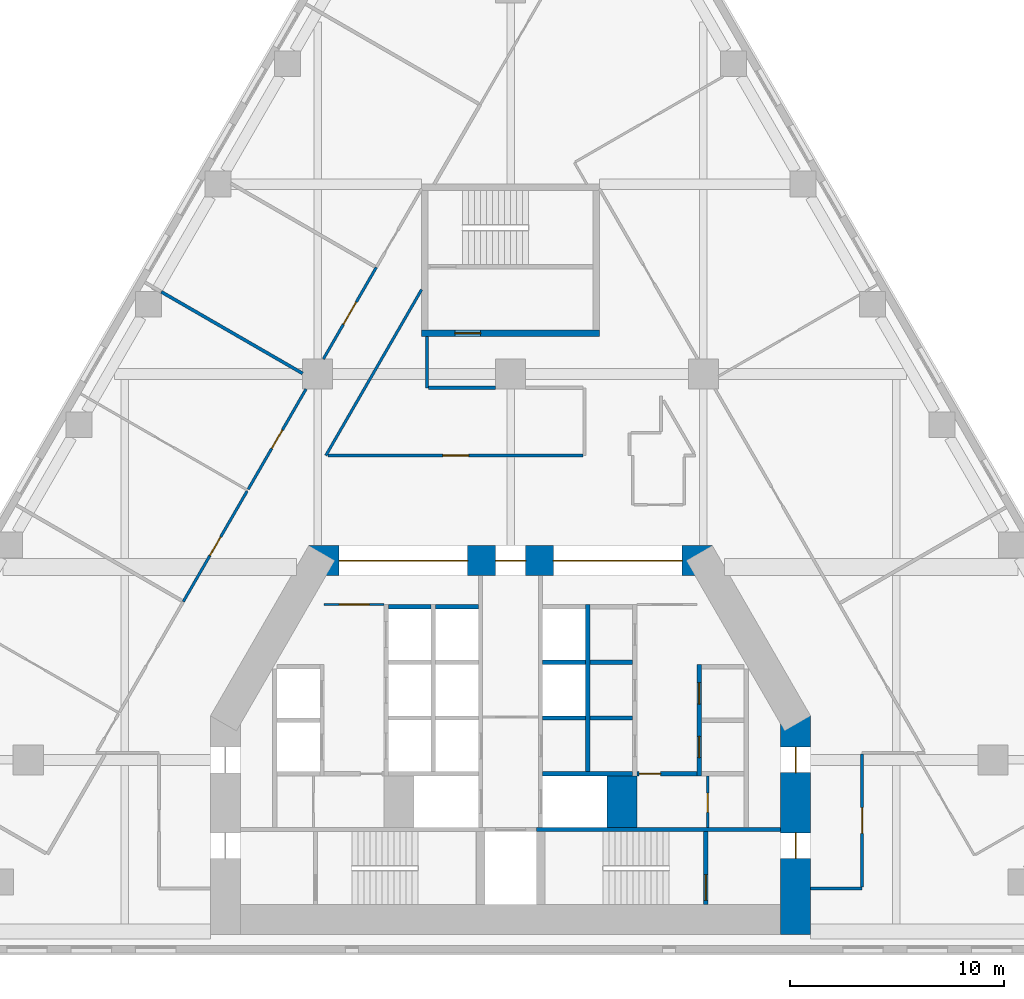
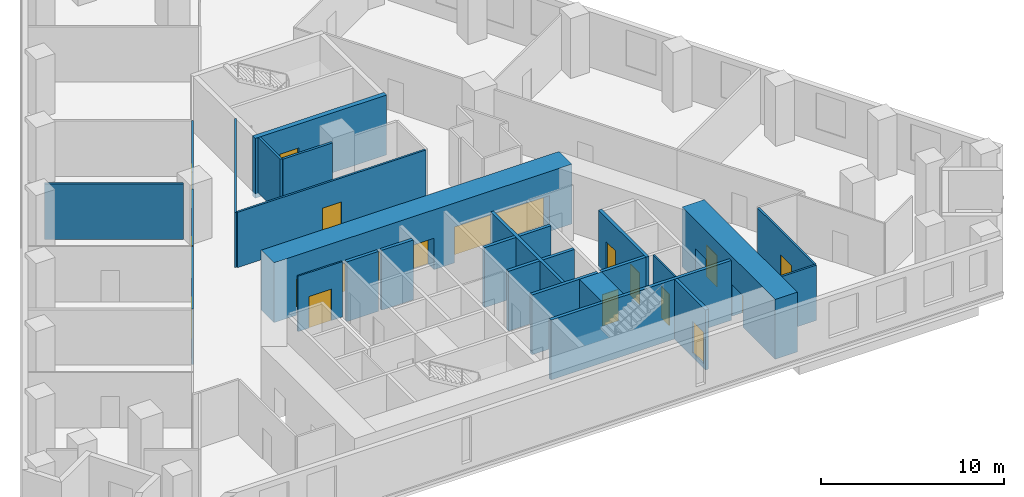
# One storey, part 5 of 9: 28 walls, 17 doors, 17 openings.
"""IFC4 building model written with IfcOpenShell, lengths in metres."""

from ifc_helpers import new_model, si_unit, direction, frame, frame_2d, origin, place, context, subcontext, project, spatial, rectangle, extrude, material, layer, layer_set, type_object, element, fill, save


model = new_model("IFC4")

# Units and contexts
model_context = context("Model", 3, precision=1e-05, world=origin(), true_north=direction((0.0, 1.0)))
body_context = subcontext(model_context, "Body", "Model", "MODEL_VIEW")
ifc_project = project(units=[si_unit("LENGTHUNIT", "METRE"), si_unit("AREAUNIT", "SQUARE_METRE"), si_unit("VOLUMEUNIT", "CUBIC_METRE"), si_unit("PLANEANGLEUNIT", "RADIAN"), si_unit("MASSUNIT", "GRAM", prefix="KILO")], contexts=[model_context])

# Site, building, storey
site_placement = place(None, origin())
site = spatial("IfcSite", under=ifc_project, at=site_placement, CompositionType="ELEMENT")
building_placement = place(site_placement, origin())
building = spatial("IfcBuilding", under=site, at=building_placement, Name="Fogline Exchange Tower", CompositionType="ELEMENT")
storey_placement = place(building_placement, frame((0.0, 0.0, 84.89990234375)))
storey = spatial("IfcBuildingStorey", under=building, at=storey_placement, Name="L18", CompositionType="ELEMENT", Elevation=84.89990234375)

# Wall, opening, door
ifc_material_1 = material(Name="Blockwork partition", Category="masonry")
ifc_layer_1 = layer(ifc_material_1, 0.10009765625)
ifc_layer_set_1 = layer_set([ifc_layer_1], Name="CW10")
wall_type_1 = type_object("IfcWallType", Name="CW10", PredefinedType="PARTITIONING", material=ifc_layer_set_1)
wall_1_placement = place(storey_placement, frame((-8.699951171875, 16.25, 0.0), z_axis=(0.0, 0.0, 1.0), x_axis=(1.0, 0.0, 0.0)))
wall_1 = element("IfcWall", 1, at=wall_1_placement, inside=storey, type_object=wall_type_1, Name="Lift lobby partition", PredefinedType="PARTITIONING", context=body_context, shape_type="SweptSolid", body=[
    extrude(rectangle(XDim=2.800048828125, YDim=0.10009765625, at=frame_2d((1.39990234375, 0.0))), origin(), (0.0, 0.0, 1.0), 3.7001953125),
])
opening_1_placement = place(wall_1_placement, frame((0.699951171875, 0.0, 0.0)))
opening_1 = element("IfcOpeningElement", 2, at=opening_1_placement, cuts=wall_1, Name="Opening T05-C007", PredefinedType="OPENING", context=body_context, shape_type="SweptSolid", body=[
    extrude(rectangle(XDim=1.39990234375, YDim=2.10009765625, at=frame_2d((0.699951171875, 1.050048828125))), frame((0.0, 0.06005859375, 0.0), z_axis=(0.0, -1.0, 0.0), x_axis=(1.0, 0.0, 0.0)), (0.0, 0.0, 1.0), 0.1201171875),
])
ifc_material_2 = material(Name="Steel and timber fire door", Category="steel")
door_type_1 = type_object("IfcDoorType", Name="D-LB1", OperationType="DOUBLE_DOOR_SINGLE_SWING", PredefinedType="DOOR", material=ifc_material_2)
door_1_placement = place(opening_1_placement, origin())
door_1 = element("IfcDoor", 3, at=door_1_placement, inside=storey, type_object=door_type_1, Name="Door to lift lobby", OperationType="DOUBLE_DOOR_SINGLE_SWING", OverallHeight=2.10009765625, OverallWidth=1.39990234375, PredefinedType="DOOR", context=body_context, shape_type="SweptSolid", body=[
    extrude(rectangle(XDim=1.39990234375, YDim=2.10009765625, at=frame_2d((0.699951171875, 1.050048828125))), frame((0.0, 0.02490234375, 0.0), z_axis=(0.0, -1.0, 0.0), x_axis=(1.0, 0.0, 0.0)), (0.0, 0.0, 1.0), 0.050048828125),
])
fill(opening_1, door_1)

wall_2_placement = place(storey_placement, frame((9.199951171875, 5.85009765625, 0.0), z_axis=(0.0, 0.0, 1.0), x_axis=(0.0, 1.0, 0.0)))
wall_2 = element("IfcWall", 4, at=wall_2_placement, inside=storey, type_object=wall_type_1, Name="WC partition", PredefinedType="PARTITIONING", context=body_context, shape_type="SweptSolid", body=[
    extrude(rectangle(XDim=2.39990234375, YDim=0.10009765625, at=frame_2d((1.199951171875, 0.0))), origin(), (0.0, 0.0, 1.0), 3.7001953125),
])
opening_2_placement = place(wall_2_placement, frame((0.699951171875, 0.0, 0.0)))
opening_2 = element("IfcOpeningElement", 5, at=opening_2_placement, cuts=wall_2, Name="Opening T05-C015", PredefinedType="OPENING", context=body_context, shape_type="SweptSolid", body=[
    extrude(rectangle(XDim=0.89990234375, YDim=2.10009765625, at=frame_2d((0.449951171875, 1.050048828125))), frame((0.0, 0.06005859375, 0.0), z_axis=(0.0, -1.0, 0.0), x_axis=(1.0, 0.0, 0.0)), (0.0, 0.0, 1.0), 0.1201171875),
])
door_type_2 = type_object("IfcDoorType", Name="D-CS1", OperationType="SINGLE_SWING_RIGHT", PredefinedType="DOOR", material=ifc_material_2)
door_2_placement = place(opening_2_placement, frame((0.89990234375, 0.0, 0.0), z_axis=(0.0, 0.0, 1.0), x_axis=(-1.0, 0.0, 0.0)))
door_2 = element("IfcDoor", 6, at=door_2_placement, inside=storey, type_object=door_type_2, Name="Door to Cleaner's Store", OperationType="SINGLE_SWING_RIGHT", OverallHeight=2.10009765625, OverallWidth=0.89990234375, PredefinedType="DOOR", context=body_context, shape_type="SweptSolid", body=[
    extrude(rectangle(XDim=0.89990234375, YDim=2.10009765625, at=frame_2d((0.449951171875, 1.050048828125))), frame((0.0, 0.02490234375, 0.0), z_axis=(0.0, -1.0, 0.0), x_axis=(1.0, 0.0, 0.0)), (0.0, 0.0, 1.0), 0.050048828125),
])
fill(opening_2, door_2)

# Wall
ifc_material_3 = material(Name="Concrete C60", Category="concrete")
ifc_layer_2 = layer(ifc_material_3, 1.39990234375)
ifc_layer_set_2 = layer_set([ifc_layer_2], Name="CW140")
wall_type_2 = type_object("IfcWallType", Name="CW140", PredefinedType="SOLIDWALL", material=ifc_layer_set_2)
wall_3_placement = place(storey_placement, frame((5.199951171875, 5.85009765625, -0.2998046875), z_axis=(0.0, 0.0, 1.0), x_axis=(0.0, 1.0, 0.0)))
element("IfcWall", 7, at=wall_3_placement, inside=storey, type_object=wall_type_2, Name="Lift shaft block wall", PredefinedType="SOLIDWALL", context=body_context, shape_type="SweptSolid", body=[
    extrude(rectangle(XDim=2.39990234375, YDim=1.39990234375, at=frame_2d((1.199951171875, 0.0))), origin(), (0.0, 0.0, 1.0), 4.0),
])

# Wall, opening, door
ifc_material_4 = material(Name="Concrete C40", Category="concrete")
ifc_layer_3 = layer(ifc_material_4, 0.199951171875)
ifc_layer_set_3 = layer_set([ifc_layer_3], Name="CW20")
wall_type_3 = type_object("IfcWallType", Name="CW20", PredefinedType="SOLIDWALL", material=ifc_layer_set_3)
wall_4_placement = place(storey_placement, frame((5.89990234375, 8.35009765625, 0.0), z_axis=(0.0, 0.0, 1.0), x_axis=(1.0, 0.0, 0.0)))
wall_4 = element("IfcWall", 8, at=wall_4_placement, inside=storey, type_object=wall_type_3, Name="WC wall", PredefinedType="SOLIDWALL", context=body_context, shape_type="SweptSolid", body=[
    extrude(rectangle(XDim=2.800048828125, YDim=0.199951171875, at=frame_2d((1.39990234375, 0.0))), origin(), (0.0, 0.0, 1.0), 3.7001953125),
])
opening_3_placement = place(wall_4_placement, frame((0.10009765625, 0.0, 0.0)))
opening_3 = element("IfcOpeningElement", 9, at=opening_3_placement, cuts=wall_4, Name="Opening T05-C014", PredefinedType="OPENING", context=body_context, shape_type="SweptSolid", body=[
    extrude(rectangle(XDim=1.0, YDim=2.10009765625, at=frame_2d((0.5, 1.050048828125))), frame((0.0, 0.10986328125, 0.0), z_axis=(0.0, -1.0, 0.0), x_axis=(1.0, 0.0, 0.0)), (0.0, 0.0, 1.0), 0.219970703125),
])
door_type_3 = type_object("IfcDoorType", Name="D-WC1", OperationType="SINGLE_SWING_LEFT", PredefinedType="DOOR", material=ifc_material_2)
door_3_placement = place(opening_3_placement, frame((1.0, 0.0, 0.0), z_axis=(0.0, 0.0, 1.0), x_axis=(-1.0, 0.0, 0.0)))
door_3 = element("IfcDoor", 10, at=door_3_placement, inside=storey, type_object=door_type_3, Name="Door to Women's WC", OperationType="SINGLE_SWING_RIGHT", OverallHeight=2.10009765625, OverallWidth=1.0, PredefinedType="DOOR", context=body_context, shape_type="SweptSolid", body=[
    extrude(rectangle(XDim=1.0, YDim=2.10009765625, at=frame_2d((0.5, 1.050048828125))), frame((0.0, 0.02490234375, 0.0), z_axis=(0.0, -1.0, 0.0), x_axis=(1.0, 0.0, 0.0)), (0.0, 0.0, 1.0), 0.050048828125),
])
fill(opening_3, door_3)

# Wall
ifc_layer_4 = layer(ifc_material_4, 0.199951171875)
ifc_layer_set_4 = layer_set([ifc_layer_4], Name="CW20R")
wall_type_4 = type_object("IfcWallType", Name="CW20R", PredefinedType="SOLIDWALL", material=ifc_layer_set_4)
wall_5_placement = place(storey_placement, frame((1.199951171875, 5.75, -0.2998046875), z_axis=(0.0, 0.0, 1.0), x_axis=(1.0, 0.0, 0.0)))
element("IfcWall", 11, at=wall_5_placement, inside=storey, type_object=wall_type_4, Name="Stair enclosure wall", PredefinedType="SOLIDWALL", context=body_context, shape_type="SweptSolid", body=[
    extrude(rectangle(XDim=11.400146484375, YDim=0.199951171875, at=frame_2d((5.7001953125, 0.0))), origin(), (0.0, 0.0, 1.0), 4.0),
])

# Wall, opening, door
wall_6_placement = place(storey_placement, frame((9.10009765625, 2.25, -0.2998046875), z_axis=(0.0, 0.0, 1.0), x_axis=(0.0, 1.0, 0.0)))
wall_6 = element("IfcWall", 12, at=wall_6_placement, inside=storey, type_object=wall_type_4, Name="Stair enclosure wall", PredefinedType="SOLIDWALL", context=body_context, shape_type="SweptSolid", body=[
    extrude(rectangle(XDim=3.39990234375, YDim=0.199951171875, at=frame_2d((1.699951171875, 0.0))), origin(), (0.0, 0.0, 1.0), 4.0),
])
opening_4_placement = place(wall_6_placement, frame((0.199951171875, 0.0, 0.300048828125)))
opening_4 = element("IfcOpeningElement", 13, at=opening_4_placement, cuts=wall_6, Name="Opening T05-C017", PredefinedType="OPENING", context=body_context, shape_type="SweptSolid", body=[
    extrude(rectangle(XDim=1.199951171875, YDim=2.10009765625, at=frame_2d((0.60009765625, 1.050048828125))), frame((0.0, 0.10986328125, 0.0), z_axis=(0.0, -1.0, 0.0), x_axis=(1.0, 0.0, 0.0)), (0.0, 0.0, 1.0), 0.219970703125),
])
door_type_4 = type_object("IfcDoorType", Name="D-ST1", OperationType="SINGLE_SWING_LEFT", PredefinedType="DOOR", material=ifc_material_2)
door_4_placement = place(opening_4_placement, origin())
door_4 = element("IfcDoor", 14, at=door_4_placement, inside=storey, type_object=door_type_4, Name="Stair door ST2", OperationType="SINGLE_SWING_LEFT", OverallHeight=2.10009765625, OverallWidth=1.199951171875, PredefinedType="DOOR", context=body_context, shape_type="SweptSolid", body=[
    extrude(rectangle(XDim=1.199951171875, YDim=2.10009765625, at=frame_2d((0.60009765625, 1.050048828125))), frame((0.0, 0.02490234375, 0.0), z_axis=(0.0, -1.0, 0.0), x_axis=(1.0, 0.0, 0.0)), (0.0, 0.0, 1.0), 0.050048828125),
])
fill(opening_4, door_4)

# Wall, openings, doors
ifc_layer_5 = layer(ifc_material_4, 0.199951171875)
ifc_layer_set_5 = layer_set([ifc_layer_5], Name="CW20S")
wall_type_5 = type_object("IfcWallType", Name="CW20S", PredefinedType="SOLIDWALL", material=ifc_layer_set_5)
wall_7_placement = place(storey_placement, frame((8.800048828125, 8.25, -0.2998046875), z_axis=(0.0, 0.0, 1.0), x_axis=(0.0, 1.0, 0.0)))
wall_7 = element("IfcWall", 15, at=wall_7_placement, inside=storey, type_object=wall_type_5, Name="Lift shaft wall", PredefinedType="SOLIDWALL", context=body_context, shape_type="SweptSolid", body=[
    extrude(rectangle(XDim=5.199951171875, YDim=0.199951171875, at=frame_2d((2.60009765625, 0.0))), origin(), (0.0, 0.0, 1.0), 4.0),
])
opening_5_placement = place(wall_7_placement, frame((0.85009765625, 0.0, 0.300048828125)))
opening_5 = element("IfcOpeningElement", 16, at=opening_5_placement, cuts=wall_7, Name="Opening T05-C001", PredefinedType="OPENING", context=body_context, shape_type="SweptSolid", body=[
    extrude(rectangle(XDim=1.0, YDim=2.10009765625, at=frame_2d((0.5, 1.050048828125))), frame((0.0, 0.10986328125, 0.0), z_axis=(0.0, -1.0, 0.0), x_axis=(1.0, 0.0, 0.0)), (0.0, 0.0, 1.0), 0.219970703125),
])
opening_6_placement = place(wall_7_placement, frame((3.35009765625, 0.0, 0.300048828125)))
opening_6 = element("IfcOpeningElement", 17, at=opening_6_placement, cuts=wall_7, Name="Opening T05-C002", PredefinedType="OPENING", context=body_context, shape_type="SweptSolid", body=[
    extrude(rectangle(XDim=1.0, YDim=2.10009765625, at=frame_2d((0.5, 1.050048828125))), frame((0.0, 0.10986328125, 0.0), z_axis=(0.0, -1.0, 0.0), x_axis=(1.0, 0.0, 0.0)), (0.0, 0.0, 1.0), 0.219970703125),
])
door_type_5 = type_object("IfcDoorType", Name="D-RM1", OperationType="SINGLE_SWING_LEFT", PredefinedType="DOOR", material=ifc_material_2)
door_5_placement = place(opening_5_placement, frame((1.0, 0.0, 0.0), z_axis=(0.0, 0.0, 1.0), x_axis=(-1.0, 0.0, 0.0)))
door_5 = element("IfcDoor", 18, at=door_5_placement, inside=storey, type_object=door_type_5, Name="Door to Server Room", OperationType="SINGLE_SWING_LEFT", OverallHeight=2.10009765625, OverallWidth=1.0, PredefinedType="DOOR", context=body_context, shape_type="SweptSolid", body=[
    extrude(rectangle(XDim=1.0, YDim=2.10009765625, at=frame_2d((0.5, 1.050048828125))), frame((0.0, 0.02490234375, 0.0), z_axis=(0.0, -1.0, 0.0), x_axis=(1.0, 0.0, 0.0)), (0.0, 0.0, 1.0), 0.050048828125),
])
fill(opening_5, door_5)
door_6_placement = place(opening_6_placement, frame((1.0, 0.0, 0.0), z_axis=(0.0, 0.0, 1.0), x_axis=(-1.0, 0.0, 0.0)))
door_6 = element("IfcDoor", 19, at=door_6_placement, inside=storey, type_object=door_type_5, Name="Door to Archive Store", OperationType="SINGLE_SWING_LEFT", OverallHeight=2.10009765625, OverallWidth=1.0, PredefinedType="DOOR", context=body_context, shape_type="SweptSolid", body=[
    extrude(rectangle(XDim=1.0, YDim=2.10009765625, at=frame_2d((0.5, 1.050048828125))), frame((0.0, 0.02490234375, 0.0), z_axis=(0.0, -1.0, 0.0), x_axis=(1.0, 0.0, 0.0)), (0.0, 0.0, 1.0), 0.050048828125),
])
fill(opening_6, door_6)

# Walls
wall_8_placement = place(storey_placement, frame((3.60009765625, 8.449951171875, -0.2998046875), z_axis=(0.0, 0.0, 1.0), x_axis=(0.0, 1.0, 0.0)))
element("IfcWall", 20, at=wall_8_placement, inside=storey, type_object=wall_type_5, Name="Lift shaft wall", PredefinedType="SOLIDWALL", context=body_context, shape_type="SweptSolid", body=[
    extrude(rectangle(XDim=7.800048828125, YDim=0.199951171875, at=frame_2d((3.89990234375, 0.0))), origin(), (0.0, 0.0, 1.0), 4.0),
])
wall_9_placement = place(storey_placement, frame((1.5, 8.35009765625, -0.2998046875), z_axis=(0.0, 0.0, 1.0), x_axis=(1.0, 0.0, 0.0)))
element("IfcWall", 21, at=wall_9_placement, inside=storey, type_object=wall_type_5, Name="Lift shaft wall", PredefinedType="SOLIDWALL", context=body_context, shape_type="SweptSolid", body=[
    extrude(rectangle(XDim=4.199951171875, YDim=0.199951171875, at=frame_2d((2.10009765625, 0.0))), origin(), (0.0, 0.0, 1.0), 4.0),
])
for number, where, z_axis, x_axis, name in (
    (22, (-5.699951171875, 16.14990234375, -0.2998046875), (0.0, 0.0, 1.0), (1.0, 0.0, 0.0), "Lift shaft wall"),
    (23, (-3.5, 16.14990234375, -0.2998046875), (0.0, 0.0, 1.0), (1.0, 0.0, 0.0), "Lift shaft wall"),
    (24, (3.699951171875, 10.949951171875, -0.2998046875), (0.0, 0.0, 1.0), (1.0, 0.0, 0.0), "Lift shaft wall"),
    (25, (3.699951171875, 13.550048828125, -0.2998046875), (0.0, 0.0, 1.0), (1.0, 0.0, 0.0), "Lift shaft wall"),
    (26, (1.5, 10.949951171875, -0.2998046875), (0.0, 0.0, 1.0), (1.0, 0.0, 0.0), "Lift shaft wall"),
    (27, (1.5, 13.550048828125, -0.2998046875), (0.0, 0.0, 1.0), (1.0, 0.0, 0.0), "Lift shaft wall"),
):
    element("IfcWall", number, at=place(storey_placement, frame(where, z_axis=z_axis, x_axis=x_axis)), inside=storey, type_object=wall_type_5, Name=name, PredefinedType="SOLIDWALL", context=body_context, shape_type="SweptSolid", body=[
        extrude(rectangle(XDim=2.0, YDim=0.199951171875, at=frame_2d((1.0, 0.0))), origin(), (0.0, 0.0, 1.0), 4.0),
    ])

# Wall, opening, door
ifc_layer_6 = layer(ifc_material_4, 0.300048828125)
ifc_layer_set_6 = layer_set([ifc_layer_6], Name="CW30")
wall_type_6 = type_object("IfcWallType", Name="CW30", PredefinedType="SOLIDWALL", material=ifc_layer_set_6)
wall_10_placement = place(storey_placement, frame((-4.14990234375, 28.906982421875, -0.2998046875), z_axis=(0.0, 0.0, 1.0), x_axis=(1.0, 0.0, 0.0)))
wall_10 = element("IfcWall", 28, at=wall_10_placement, inside=storey, type_object=wall_type_6, Name="Stair enclosure wall ST3", PredefinedType="SOLIDWALL", context=body_context, shape_type="SweptSolid", body=[
    extrude(rectangle(XDim=8.2998046875, YDim=0.300048828125, at=frame_2d((4.14990234375, 0.0))), origin(), (0.0, 0.0, 1.0), 4.0),
])
opening_7_placement = place(wall_10_placement, frame((1.550048828125, 0.0, 0.300048828125)))
opening_7 = element("IfcOpeningElement", 29, at=opening_7_placement, cuts=wall_10, Name="Opening T05-C023", PredefinedType="OPENING", context=body_context, shape_type="SweptSolid", body=[
    extrude(rectangle(XDim=1.199951171875, YDim=2.10009765625, at=frame_2d((0.60009765625, 1.050048828125))), frame((0.0, 0.16015625, 0.0), z_axis=(0.0, -1.0, 0.0), x_axis=(1.0, 0.0, 0.0)), (0.0, 0.0, 1.0), 0.320068359375),
])
door_type_6 = type_object("IfcDoorType", Name="D-FR1", OperationType="SINGLE_SWING_RIGHT", PredefinedType="DOOR", material=ifc_material_2)
door_7_placement = place(opening_7_placement, origin())
door_7 = element("IfcDoor", 30, at=door_7_placement, inside=storey, type_object=door_type_6, Name="Front room door ST3", OperationType="SINGLE_SWING_LEFT", OverallHeight=2.10009765625, OverallWidth=1.199951171875, PredefinedType="DOOR", context=body_context, shape_type="SweptSolid", body=[
    extrude(rectangle(XDim=1.199951171875, YDim=2.10009765625, at=frame_2d((0.60009765625, 1.050048828125))), frame((0.0, 0.02490234375, 0.0), z_axis=(0.0, -1.0, 0.0), x_axis=(1.0, 0.0, 0.0)), (0.0, 0.0, 1.0), 0.050048828125),
])
fill(opening_7, door_7)

ifc_material_5 = material(Name="Plasterboard corridor partition with mineral wool, 2 layers each side")
ifc_layer_7 = layer(ifc_material_5, 0.125)
ifc_layer_set_7 = layer_set([ifc_layer_7], Name="PW2")
wall_type_7 = type_object("IfcWallType", Name="PW2", PredefinedType="PARTITIONING", material=ifc_layer_set_7)
wall_11_placement = place(storey_placement, frame((16.39990234375, 9.277587890625, 0.0), z_axis=(0.0, 0.0, 1.0), x_axis=(0.0, -1.0, 0.0)))
wall_11 = element("IfcWall", 31, at=wall_11_placement, inside=storey, type_object=wall_type_7, Name="wall-L18-W001", PredefinedType="PARTITIONING", context=body_context, shape_type="SweptSolid", body=[
    extrude(rectangle(XDim=6.215087890625, YDim=0.125, at=frame_2d((3.107421875, 0.0))), origin(), (0.0, 0.0, 1.0), 3.7001953125),
])
opening_8_placement = place(wall_11_placement, frame((2.507568359375, 0.0, 0.0)))
opening_8 = element("IfcOpeningElement", 32, at=opening_8_placement, cuts=wall_11, Name="Opening T05-D001", PredefinedType="OPENING", context=body_context, shape_type="SweptSolid", body=[
    extrude(rectangle(XDim=1.199951171875, YDim=2.10009765625, at=frame_2d((0.60009765625, 1.050048828125))), frame((0.0, 0.072509765625, 0.0), z_axis=(0.0, -1.0, 0.0), x_axis=(1.0, 0.0, 0.0)), (0.0, 0.0, 1.0), 0.14501953125),
])
ifc_material_6 = material(Name="Fire-rated glazed door leaf with steel frame", Category="steel")
door_type_7 = type_object("IfcDoorType", Name="D5", OperationType="SINGLE_SWING_LEFT", PredefinedType="DOOR", material=ifc_material_6)
door_8_placement = place(opening_8_placement, origin())
door_8 = element("IfcDoor", 33, at=door_8_placement, inside=storey, type_object=door_type_7, Name="door-L18-D001", OperationType="SINGLE_SWING_LEFT", OverallHeight=2.10009765625, OverallWidth=1.199951171875, PredefinedType="DOOR", context=body_context, shape_type="SweptSolid", body=[
    extrude(rectangle(XDim=1.199951171875, YDim=2.10009765625, at=frame_2d((0.60009765625, 1.050048828125))), frame((0.0, 0.02490234375, 0.0), z_axis=(0.0, -1.0, 0.0), x_axis=(1.0, 0.0, 0.0)), (0.0, 0.0, 1.0), 0.050048828125),
])
fill(opening_8, door_8)

# Wall
wall_12_placement = place(storey_placement, frame((16.39990234375, 3.0, 0.0), z_axis=(0.0, 0.0, 1.0), x_axis=(-1.0, 0.0, 0.0)))
element("IfcWall", 34, at=wall_12_placement, inside=storey, type_object=wall_type_7, Name="wall-L18-W002", PredefinedType="PARTITIONING", context=body_context, shape_type="SweptSolid", body=[
    extrude(rectangle(XDim=2.39990234375, YDim=0.125, at=frame_2d((1.199951171875, 0.0))), origin(), (0.0, 0.0, 1.0), 3.7001953125),
])

# Wall, opening, door
wall_13_placement = place(storey_placement, frame((-8.5087890625, 23.199951171875, 0.0), z_axis=(0.0, 0.0, 1.0), x_axis=(1.0, 0.0, 0.0)))
wall_13 = element("IfcWall", 35, at=wall_13_placement, inside=storey, type_object=wall_type_7, Name="wall-L18-W007", PredefinedType="PARTITIONING", context=body_context, shape_type="SweptSolid", body=[
    extrude(rectangle(XDim=11.896240234375, YDim=0.125, at=frame_2d((5.9482421875, 0.0))), origin(), (0.0, 0.0, 1.0), 3.7001953125),
])
opening_9_placement = place(wall_13_placement, frame((5.34814453125, 0.0, 0.0)))
opening_9 = element("IfcOpeningElement", 36, at=opening_9_placement, cuts=wall_13, Name="Opening T05-D003", PredefinedType="OPENING", context=body_context, shape_type="SweptSolid", body=[
    extrude(rectangle(XDim=1.199951171875, YDim=2.10009765625, at=frame_2d((0.60009765625, 1.050048828125))), frame((0.0, 0.072509765625, 0.0), z_axis=(0.0, -1.0, 0.0), x_axis=(1.0, 0.0, 0.0)), (0.0, 0.0, 1.0), 0.14501953125),
])
door_9_placement = place(opening_9_placement, origin())
door_9 = element("IfcDoor", 37, at=door_9_placement, inside=storey, type_object=door_type_7, Name="door-L18-D003", OperationType="SINGLE_SWING_RIGHT", OverallHeight=2.10009765625, OverallWidth=1.199951171875, PredefinedType="DOOR", context=body_context, shape_type="SweptSolid", body=[
    extrude(rectangle(XDim=1.199951171875, YDim=2.10009765625, at=frame_2d((0.60009765625, 1.050048828125))), frame((0.0, 0.02490234375, 0.0), z_axis=(0.0, -1.0, 0.0), x_axis=(1.0, 0.0, 0.0)), (0.0, 0.0, 1.0), 0.050048828125),
])
fill(opening_9, door_9)

# Wall
wall_14_placement = place(storey_placement, frame((-4.14990234375, 30.93798828125, 0.0), z_axis=(0.0, 0.0, 1.0), x_axis=(-0.499997606806, -0.866026785491, 0.0)))
element("IfcWall", 38, at=wall_14_placement, inside=storey, type_object=wall_type_7, Name="wall-L18-W011", PredefinedType="PARTITIONING", context=body_context, shape_type="SweptSolid", body=[
    extrude(rectangle(XDim=8.93505859375, YDim=0.125, at=frame_2d((4.467529296875, 0.0))), origin(), (0.0, 0.0, 1.0), 3.7001953125),
])

# Wall, opening, door
wall_15_placement = place(storey_placement, frame((-8.73291015625, 27.699951171875, 0.0), z_axis=(0.0, 0.0, 1.0), x_axis=(0.499996519298, 0.86602741336, 0.0)))
wall_15 = element("IfcWall", 39, at=wall_15_placement, inside=storey, type_object=wall_type_7, Name="wall-L18-W012", PredefinedType="PARTITIONING", context=body_context, shape_type="SweptSolid", body=[
    extrude(rectangle(XDim=4.93505859375, YDim=0.125, at=frame_2d((2.467529296875, 0.0))), origin(), (0.0, 0.0, 1.0), 3.7001953125),
])
opening_10_placement = place(wall_15_placement, frame((1.867431640625, 0.0, 0.0)))
opening_10 = element("IfcOpeningElement", 40, at=opening_10_placement, cuts=wall_15, Name="Opening T05-D006", PredefinedType="OPENING", context=body_context, shape_type="SweptSolid", body=[
    extrude(rectangle(XDim=1.199951171875, YDim=2.10009765625, at=frame_2d((0.60009765625, 1.050048828125))), frame((0.0, 0.072509765625, 0.0), z_axis=(0.0, -1.0, 0.0), x_axis=(1.0, 0.0, 0.0)), (0.0, 0.0, 1.0), 0.14501953125),
])
door_10_placement = place(opening_10_placement, origin())
door_10 = element("IfcDoor", 41, at=door_10_placement, inside=storey, type_object=door_type_7, Name="door-L18-D006", OperationType="SINGLE_SWING_RIGHT", OverallHeight=2.10009765625, OverallWidth=1.199951171875, PredefinedType="DOOR", context=body_context, shape_type="SweptSolid", body=[
    extrude(rectangle(XDim=1.199951171875, YDim=2.10009765625, at=frame_2d((0.60009765625, 1.050048828125))), frame((0.0, 0.02490234375, 0.0), z_axis=(0.0, -1.0, 0.0), x_axis=(1.0, 0.0, 0.0)), (0.0, 0.0, 1.0), 0.050048828125),
])
fill(opening_10, door_10)

wall_16_placement = place(storey_placement, frame((-12.239990234375, 21.625244140625, 0.0), z_axis=(0.0, 0.0, 1.0), x_axis=(0.499962585297, 0.866047004096, 0.0)))
wall_16 = element("IfcWall", 42, at=wall_16_placement, inside=storey, type_object=wall_type_7, Name="wall-L18-W013", PredefinedType="PARTITIONING", context=body_context, shape_type="SweptSolid", body=[
    extrude(rectangle(XDim=5.39794921875, YDim=0.125, at=frame_2d((2.698974609375, 0.0))), origin(), (0.0, 0.0, 1.0), 3.7001953125),
])
opening_11_placement = place(wall_16_placement, frame((2.198974609375, 0.0, 0.0)))
opening_11 = element("IfcOpeningElement", 43, at=opening_11_placement, cuts=wall_16, Name="Opening T05-D007", PredefinedType="OPENING", context=body_context, shape_type="SweptSolid", body=[
    extrude(rectangle(XDim=1.0, YDim=2.10009765625, at=frame_2d((0.5, 1.050048828125))), frame((0.0, 0.072509765625, 0.0), z_axis=(0.0, -1.0, 0.0), x_axis=(1.0, 0.0, 0.0)), (0.0, 0.0, 1.0), 0.14501953125),
])
ifc_material_7 = material(Name="Fire-rated timber door leaf with steel frame", Category="steel")
door_type_8 = type_object("IfcDoorType", Name="D3", OperationType="SINGLE_SWING_LEFT", PredefinedType="DOOR", material=ifc_material_7)
door_11_placement = place(opening_11_placement, origin())
door_11 = element("IfcDoor", 44, at=door_11_placement, inside=storey, type_object=door_type_8, Name="door-L18-D007", OperationType="SINGLE_SWING_LEFT", OverallHeight=2.10009765625, OverallWidth=1.0, PredefinedType="DOOR", context=body_context, shape_type="SweptSolid", body=[
    extrude(rectangle(XDim=1.0, YDim=2.10009765625, at=frame_2d((0.5, 1.050048828125))), frame((0.0, 0.02490234375, 0.0), z_axis=(0.0, -1.0, 0.0), x_axis=(1.0, 0.0, 0.0)), (0.0, 0.0, 1.0), 0.050048828125),
])
fill(opening_11, door_11)

wall_17_placement = place(storey_placement, frame((-15.265380859375, 16.385498046875, 0.0), z_axis=(0.0, 0.0, 1.0), x_axis=(0.500018463402, 0.866014743672, 0.0)))
wall_17 = element("IfcWall", 45, at=wall_17_placement, inside=storey, type_object=wall_type_7, Name="wall-L18-W014", PredefinedType="PARTITIONING", context=body_context, shape_type="SweptSolid", body=[
    extrude(rectangle(XDim=5.949462890625, YDim=0.125, at=frame_2d((2.974609375, 0.0))), origin(), (0.0, 0.0, 1.0), 3.7001953125),
])
opening_12_placement = place(wall_17_placement, frame((2.474853515625, 0.0, 0.0)))
opening_12 = element("IfcOpeningElement", 46, at=opening_12_placement, cuts=wall_17, Name="Opening T05-D008", PredefinedType="OPENING", context=body_context, shape_type="SweptSolid", body=[
    extrude(rectangle(XDim=1.0, YDim=2.10009765625, at=frame_2d((0.5, 1.050048828125))), frame((0.0, 0.072509765625, 0.0), z_axis=(0.0, -1.0, 0.0), x_axis=(1.0, 0.0, 0.0)), (0.0, 0.0, 1.0), 0.14501953125),
])
door_12_placement = place(opening_12_placement, origin())
door_12 = element("IfcDoor", 47, at=door_12_placement, inside=storey, type_object=door_type_8, Name="door-L18-D008", OperationType="SINGLE_SWING_RIGHT", OverallHeight=2.10009765625, OverallWidth=1.0, PredefinedType="DOOR", context=body_context, shape_type="SweptSolid", body=[
    extrude(rectangle(XDim=1.0, YDim=2.10009765625, at=frame_2d((0.5, 1.050048828125))), frame((0.0, 0.02490234375, 0.0), z_axis=(0.0, -1.0, 0.0), x_axis=(1.0, 0.0, 0.0)), (0.0, 0.0, 1.0), 0.050048828125),
])
fill(opening_12, door_12)

# Walls
ifc_material_8 = material(Name="Plasterboard demising partition with mineral wool and acoustic board")
ifc_layer_8 = layer(ifc_material_8, 0.14990234375)
ifc_layer_set_8 = layer_set([ifc_layer_8], Name="PW3")
wall_type_8 = type_object("IfcWallType", Name="PW3", PredefinedType="PARTITIONING", material=ifc_layer_set_8)
wall_18_placement = place(storey_placement, frame((-9.699951171875, 27.028564453125, 0.0), z_axis=(0.0, 0.0, 1.0), x_axis=(-0.866021009999, 0.500007610182, 0.0)))
element("IfcWall", 48, at=wall_18_placement, inside=storey, type_object=wall_type_8, Name="wall-L18-W042", PredefinedType="PARTITIONING", context=body_context, shape_type="SweptSolid", body=[
    extrude(rectangle(XDim=7.60888671875, YDim=0.14990234375, at=frame_2d((3.804443359375, 0.0))), origin(), (0.0, 0.0, 1.0), 3.7001953125),
])
ifc_material_9 = material(Name="Plasterboard stair lobby partition, 3 layers each side on steel studs", Category="steel")
ifc_layer_9 = layer(ifc_material_9, 0.14990234375)
ifc_layer_set_9 = layer_set([ifc_layer_9], Name="PW4")
wall_type_9 = type_object("IfcWallType", Name="PW4", PredefinedType="PARTITIONING", material=ifc_layer_set_9)
wall_19_placement = place(storey_placement, frame((-0.699951171875, 26.35693359375, 0.0), z_axis=(0.0, 0.0, 1.0), x_axis=(-1.0, 0.0, 0.0)))
element("IfcWall", 49, at=wall_19_placement, inside=storey, type_object=wall_type_9, Name="wall-L18-W020", PredefinedType="PARTITIONING", context=body_context, shape_type="SweptSolid", body=[
    extrude(rectangle(XDim=3.125, YDim=0.14990234375, at=frame_2d((1.5625, 0.0))), origin(), (0.0, 0.0, 1.0), 3.7001953125),
])
wall_20_placement = place(storey_placement, frame((-3.89990234375, 26.35693359375, 0.0), z_axis=(0.0, 0.0, 1.0), x_axis=(0.0, 1.0, 0.0)))
element("IfcWall", 50, at=wall_20_placement, inside=storey, type_object=wall_type_9, Name="wall-L18-W021", PredefinedType="PARTITIONING", context=body_context, shape_type="SweptSolid", body=[
    extrude(rectangle(XDim=2.400146484375, YDim=0.14990234375, at=frame_2d((1.2001953125, 0.0))), origin(), (0.0, 0.0, 1.0), 3.7001953125),
])

# Wall, openings, doors
ifc_layer_10 = layer(ifc_material_3, 1.39990234375)
ifc_layer_set_10 = layer_set([ifc_layer_10], Name="SW01")
wall_type_10 = type_object("IfcWallType", Name="SW01", PredefinedType="SHEAR", material=ifc_layer_set_10)
wall_21_placement = place(storey_placement, frame((13.300048828125, 0.85009765625, 0.0), z_axis=(0.0, 0.0, 1.0), x_axis=(0.0, 1.0, 0.0)))
wall_21 = element("IfcWall", 51, at=wall_21_placement, inside=storey, type_object=wall_type_10, Name="L18-W902", PredefinedType="SHEAR", context=body_context, shape_type="SweptSolid", body=[
    extrude(rectangle(XDim=10.202392578125, YDim=1.39990234375, at=frame_2d((5.10107421875, 0.0))), origin(), (0.0, 0.0, 1.0), 4.0),
])
opening_13_placement = place(wall_21_placement, frame((3.550048828125, 0.0, 0.0)))
opening_13 = element("IfcOpeningElement", 52, at=opening_13_placement, cuts=wall_21, Name="Opening T05-C016", PredefinedType="OPENING", context=body_context, shape_type="SweptSolid", body=[
    extrude(rectangle(XDim=1.199951171875, YDim=2.10009765625, at=frame_2d((0.60009765625, 1.050048828125))), frame((0.0, 0.7099609375, 0.0), z_axis=(0.0, -1.0, 0.0), x_axis=(1.0, 0.0, 0.0)), (0.0, 0.0, 1.0), 1.419921875),
])
opening_14_placement = place(wall_21_placement, frame((7.550048828125, 0.0, 0.0)))
opening_14 = element("IfcOpeningElement", 53, at=opening_14_placement, cuts=wall_21, Name="Opening T05-C018", PredefinedType="OPENING", context=body_context, shape_type="SweptSolid", body=[
    extrude(rectangle(XDim=1.199951171875, YDim=2.10009765625, at=frame_2d((0.60009765625, 1.050048828125))), frame((0.0, 0.7099609375, 0.0), z_axis=(0.0, -1.0, 0.0), x_axis=(1.0, 0.0, 0.0)), (0.0, 0.0, 1.0), 1.419921875),
])
door_13_placement = place(opening_13_placement, origin())
door_13 = element("IfcDoor", 54, at=door_13_placement, inside=storey, type_object=door_type_6, Name="Front room door ST2", OperationType="SINGLE_SWING_RIGHT", OverallHeight=2.10009765625, OverallWidth=1.199951171875, PredefinedType="DOOR", context=body_context, shape_type="SweptSolid", body=[
    extrude(rectangle(XDim=1.199951171875, YDim=2.10009765625, at=frame_2d((0.60009765625, 1.050048828125))), frame((0.0, 0.02490234375, 0.0), z_axis=(0.0, -1.0, 0.0), x_axis=(1.0, 0.0, 0.0)), (0.0, 0.0, 1.0), 0.050048828125),
])
fill(opening_13, door_13)
door_type_9 = type_object("IfcDoorType", Name="D-SV1", OperationType="SINGLE_SWING_LEFT", PredefinedType="DOOR", material=ifc_material_2)
door_14_placement = place(opening_14_placement, origin())
door_14 = element("IfcDoor", 55, at=door_14_placement, inside=storey, type_object=door_type_9, Name="Service door E", OperationType="SINGLE_SWING_RIGHT", OverallHeight=2.10009765625, OverallWidth=1.199951171875, PredefinedType="DOOR", context=body_context, shape_type="SweptSolid", body=[
    extrude(rectangle(XDim=1.199951171875, YDim=2.10009765625, at=frame_2d((0.60009765625, 1.050048828125))), frame((0.0, 0.02490234375, 0.0), z_axis=(0.0, -1.0, 0.0), x_axis=(1.0, 0.0, 0.0)), (0.0, 0.0, 1.0), 0.050048828125),
])
fill(opening_14, door_14)

wall_22_placement = place(storey_placement, frame((9.41162109375, 18.300048828125, 0.0), z_axis=(0.0, 0.0, 1.0), x_axis=(-1.0, 0.0, 0.0)))
wall_22 = element("IfcWall", 56, at=wall_22_placement, inside=storey, type_object=wall_type_10, Name="L18-W904", PredefinedType="SHEAR", context=body_context, shape_type="SweptSolid", body=[
    extrude(rectangle(XDim=18.8232421875, YDim=1.39990234375, at=frame_2d((9.41162109375, 0.0))), origin(), (0.0, 0.0, 1.0), 4.0),
])
opening_15_placement = place(wall_22_placement, frame((8.71142578125, 0.0, 0.0)))
opening_15 = element("IfcOpeningElement", 57, at=opening_15_placement, cuts=wall_22, Name="Opening T05-C020", PredefinedType="OPENING", context=body_context, shape_type="SweptSolid", body=[
    extrude(rectangle(XDim=1.39990234375, YDim=2.10009765625, at=frame_2d((0.699951171875, 1.050048828125))), frame((0.0, 0.7099609375, 0.0), z_axis=(0.0, -1.0, 0.0), x_axis=(1.0, 0.0, 0.0)), (0.0, 0.0, 1.0), 1.419921875),
])
opening_16_placement = place(wall_22_placement, frame((11.41162109375, 0.0, 0.0)))
opening_16 = element("IfcOpeningElement", 58, at=opening_16_placement, cuts=wall_22, Name="Opening T05-C021", PredefinedType="OPENING", context=body_context, shape_type="SweptSolid", body=[
    extrude(rectangle(XDim=6.0, YDim=2.39990234375, at=frame_2d((3.0, 1.199951171875))), frame((0.0, 0.7099609375, 0.0), z_axis=(0.0, -1.0, 0.0), x_axis=(1.0, 0.0, 0.0)), (0.0, 0.0, 1.0), 1.419921875),
])
opening_17_placement = place(wall_22_placement, frame((1.41162109375, 0.0, 0.0)))
opening_17 = element("IfcOpeningElement", 59, at=opening_17_placement, cuts=wall_22, Name="Opening T05-C022", PredefinedType="OPENING", context=body_context, shape_type="SweptSolid", body=[
    extrude(rectangle(XDim=6.0, YDim=2.39990234375, at=frame_2d((3.0, 1.199951171875))), frame((0.0, 0.7099609375, 0.0), z_axis=(0.0, -1.0, 0.0), x_axis=(1.0, 0.0, 0.0)), (0.0, 0.0, 1.0), 1.419921875),
])
door_15_placement = place(opening_15_placement, origin())
door_15 = element("IfcDoor", 60, at=door_15_placement, inside=storey, type_object=door_type_1, Name="Protected lobby door", OperationType="DOUBLE_DOOR_SINGLE_SWING", OverallHeight=2.10009765625, OverallWidth=1.39990234375, PredefinedType="DOOR", context=body_context, shape_type="SweptSolid", body=[
    extrude(rectangle(XDim=1.39990234375, YDim=2.10009765625, at=frame_2d((0.699951171875, 1.050048828125))), frame((0.0, 0.02490234375, 0.0), z_axis=(0.0, -1.0, 0.0), x_axis=(1.0, 0.0, 0.0)), (0.0, 0.0, 1.0), 0.050048828125),
])
fill(opening_15, door_15)
door_type_10 = type_object("IfcDoorType", Name="D-LE1", OperationType="DOUBLE_DOOR_SLIDING", PredefinedType="DOOR", material=ifc_material_2)
door_16_placement = place(opening_16_placement, origin())
door_16 = element("IfcDoor", 61, at=door_16_placement, inside=storey, type_object=door_type_10, Name="Lift lobby entrance west", OperationType="DOUBLE_DOOR_SLIDING", OverallHeight=2.39990234375, OverallWidth=6.0, PredefinedType="DOOR", context=body_context, shape_type="SweptSolid", body=[
    extrude(rectangle(XDim=6.0, YDim=2.39990234375, at=frame_2d((3.0, 1.199951171875))), frame((0.0, 0.02490234375, 0.0), z_axis=(0.0, -1.0, 0.0), x_axis=(1.0, 0.0, 0.0)), (0.0, 0.0, 1.0), 0.050048828125),
])
fill(opening_16, door_16)
door_17_placement = place(opening_17_placement, origin())
door_17 = element("IfcDoor", 62, at=door_17_placement, inside=storey, type_object=door_type_10, Name="Lift lobby entrance east", OperationType="DOUBLE_DOOR_SLIDING", OverallHeight=2.39990234375, OverallWidth=6.0, PredefinedType="DOOR", context=body_context, shape_type="SweptSolid", body=[
    extrude(rectangle(XDim=6.0, YDim=2.39990234375, at=frame_2d((3.0, 1.199951171875))), frame((0.0, 0.02490234375, 0.0), z_axis=(0.0, -1.0, 0.0), x_axis=(1.0, 0.0, 0.0)), (0.0, 0.0, 1.0), 0.050048828125),
])
fill(opening_17, door_17)

save(model, "model.ifc")
